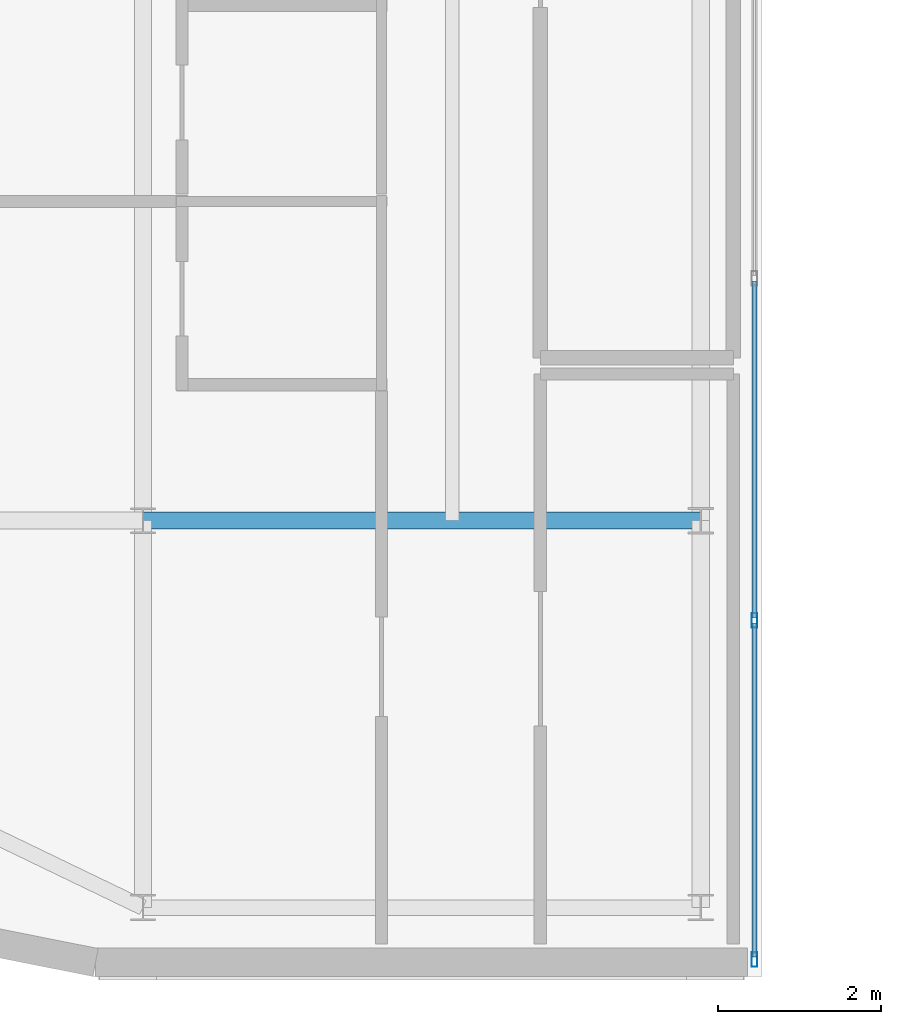
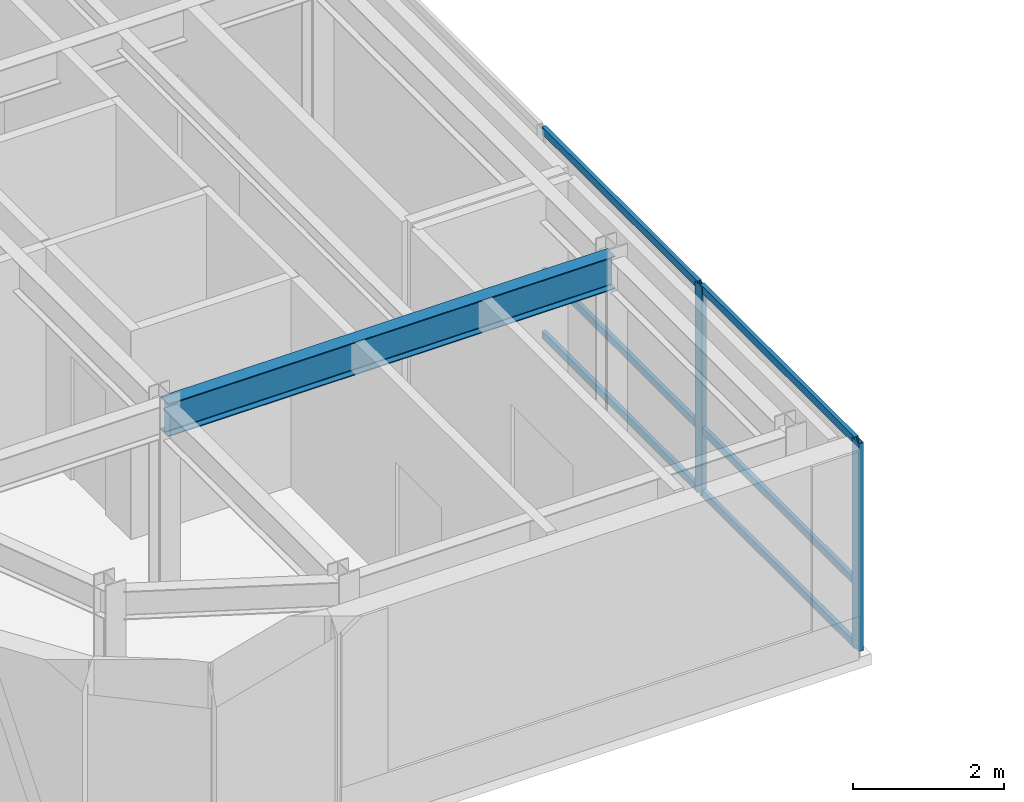
# One storey, part 4 of 21: 8 members, 1 beam, 1 element without a shape of its own.
"""IFC4 building model written with IfcOpenShell, lengths in metres."""

from ifc_helpers import new_model, si_unit, direction, frame, origin, origin_2d, place, context, subcontext, project, spatial, hollow_rectangle, i_section, extrude, source, transform, mapped, material, layer, layer_set, material_profile, profile_set, type_object, type_shapes, element, aggregate, save


model = new_model("IFC4")

# Units and contexts
model_context = context("Model", 3, precision=1e-05, world=origin(), true_north=direction((0.0, 1.0)))
body_context = subcontext(model_context, "Body", "Model", "MODEL_VIEW")
ifc_project = project(units=[si_unit("LENGTHUNIT", "METRE"), si_unit("AREAUNIT", "SQUARE_METRE"), si_unit("VOLUMEUNIT", "CUBIC_METRE"), si_unit("PLANEANGLEUNIT", "RADIAN"), si_unit("MASSUNIT", "GRAM", prefix="KILO")], contexts=[model_context])

# Site, building, storey
site_placement = place(None, origin())
site = spatial("IfcSite", under=ifc_project, at=site_placement, CompositionType="ELEMENT")
building_placement = place(site_placement, origin())
building = spatial("IfcBuilding", under=site, at=building_placement, Name="Tolvann Quenvar Hotel", CompositionType="ELEMENT")
storey_placement = place(building_placement, frame((0.0, 0.0, 255.85009765625)))
storey = spatial("IfcBuildingStorey", under=building, at=storey_placement, Name="L68", CompositionType="ELEMENT", Elevation=255.85009765625)

# Beam
ifc_material_1 = material(Name="Steel Grade 350", Category="steel")
ifc_material_profile_1 = material_profile(ifc_material_1, i_section(OverallWidth=0.208984375, OverallDepth=0.532958984375, WebThickness=0.01025390625, FlangeThickness=0.015625, FilletRadius=0.013916015625, at=origin_2d()), Name="530UB92")
ifc_profile_set_1 = profile_set([ifc_material_profile_1], Name="Steel Grade 350")
beam_type = type_object("IfcBeamType", Name="BM_GIRD_530UB92", PredefinedType="BEAM", material=ifc_profile_set_1)
shared_shape_1 = source(origin(), body_context, "Body", "SweptSolid", [
    extrude(i_section(OverallWidth=0.208984375, OverallDepth=0.532958984375, WebThickness=0.01025390625, FlangeThickness=0.015625, FilletRadius=0.013916015625, at=origin_2d()), origin(), (0.0, 0.0, 1.0), 6.849853515625),
])
type_shapes(beam_type, [shared_shape_1])
beam_placement = place(storey_placement, frame((7.60009765625, 8.199951171875, 3.103515625), z_axis=(1.0, 0.0, 0.0), x_axis=(0.0, 1.0, 0.0)))
element("IfcBeam", 1, at=beam_placement, inside=storey, type_object=beam_type, Name="BM-L68-EW-3-C3-D3", PredefinedType="BEAM", context=body_context, shape_type="MappedRepresentation", body=[
    mapped(shared_shape_1, transform((0.0, 0.0, 0.0), x_axis=(1.0, 0.0, 0.0), y_axis=(0.0, 1.0, 0.0), z_axis=(0.0, 0.0, 1.0), scale=1.0)),
])

# Curtain wall, members
ifc_material_2 = material(Name="Thermally broken anodised architectural aluminium 6063-T6 and laminated low-E glass", Category="aluminium")
ifc_layer = layer(ifc_material_2, 0.179931640625)
ifc_layer_set = layer_set([ifc_layer], Name="Thermally broken anodised architectural aluminium 6063-T6 and laminated low-E glass")
curtain_wall_type = type_object("IfcCurtainWallType", Name="CW_SYS_PORTAL_05", PredefinedType="USERDEFINED", material=ifc_layer_set)
curtain_wall_placement = place(storey_placement, origin())
curtain_wall = element("IfcCurtainWall", 2, at=curtain_wall_placement, inside=storey, type_object=curtain_wall_type, Name="Curtain Wall CW-PORTAL-05 (CWR-L68-E05)", ObjectType="UNITISED CURTAIN WALL", PredefinedType="USERDEFINED")
ifc_material_3 = material(Name="Anodised architectural aluminium 6063-T6 framing", Category="aluminium")
ifc_material_profile_2 = material_profile(ifc_material_3, hollow_rectangle(XDim=0.070068359375, YDim=0.179931640625, WallThickness=0.00390625, at=origin_2d()), Name="180x70x4RHS")
ifc_profile_set_2 = profile_set([ifc_material_profile_2], Name="Anodised architectural aluminium 6063-T6 framing")
member_type_1 = type_object("IfcMemberType", Name="CW_MULL_180x70", PredefinedType="MULLION", material=ifc_profile_set_2)
shared_shape_2 = source(origin(), body_context, "Body", "SweptSolid", [
    extrude(hollow_rectangle(XDim=0.070068359375, YDim=0.179931640625, WallThickness=0.00390625, at=origin_2d()), origin(), (0.0, 0.0, 1.0), 3.369873046875),
])
type_shapes(member_type_1, [shared_shape_2])
member_1_placement = place(storey_placement, frame((15.110107421875, 2.81005859375, 0.0), z_axis=(0.0, 0.0, 1.0), x_axis=(-1.0, 0.0, 0.0)))
member_1 = element("IfcMember", 3, at=member_1_placement, type_object=member_type_1, Name="CW-PORTAL-05 mullion 1", PredefinedType="MULLION", context=body_context, shape_type="MappedRepresentation", body=[
    mapped(shared_shape_2, transform((0.0, 0.0, 0.0), x_axis=(1.0, 0.0, 0.0), y_axis=(0.0, 1.0, 0.0), z_axis=(0.0, 0.0, 1.0), scale=1.0)),
])
member_2_placement = place(storey_placement, frame((15.110107421875, 6.97509765625, 0.0), z_axis=(0.0, 0.0, 1.0), x_axis=(-1.0, 0.0, 0.0)))
member_2 = element("IfcMember", 4, at=member_2_placement, type_object=member_type_1, Name="CW-PORTAL-05 mullion 2", PredefinedType="MULLION", context=body_context, shape_type="MappedRepresentation", body=[
    mapped(shared_shape_2, transform((0.0, 0.0, 0.0), x_axis=(1.0, 0.0, 0.0), y_axis=(0.0, 1.0, 0.0), z_axis=(0.0, 0.0, 1.0), scale=1.0)),
])
ifc_material_profile_3 = material_profile(ifc_material_3, hollow_rectangle(XDim=0.06005859375, YDim=0.1201171875, WallThickness=0.00341796875, at=origin_2d()), Name="120x60x3.5RHS")
ifc_profile_set_3 = profile_set([ifc_material_profile_3], Name="Anodised architectural aluminium 6063-T6 framing")
member_type_2 = type_object("IfcMemberType", Name="CW_TRAN_120x60", PredefinedType="USERDEFINED", material=ifc_profile_set_3)
shared_shape_3 = source(origin(), body_context, "Body", "SweptSolid", [
    extrude(hollow_rectangle(XDim=0.06005859375, YDim=0.1201171875, WallThickness=0.00341796875, at=origin_2d()), origin(), (0.0, 0.0, 1.0), 4.094970703125),
])
member_3_placement = place(storey_placement, frame((15.110107421875, 2.844970703125, 0.02978515625), z_axis=(0.0, 1.0, 0.0), x_axis=(-1.0, 0.0, 0.0)))
member_3 = element("IfcMember", 5, at=member_3_placement, type_object=member_type_2, Name="CW-PORTAL-05 transom 1.1", ObjectType="TRANSOM", PredefinedType="USERDEFINED", context=body_context, shape_type="MappedRepresentation", body=[
    mapped(shared_shape_3, transform((0.0, 0.0, 0.0), x_axis=(1.0, 0.0, 0.0), y_axis=(0.0, 1.0, 0.0), z_axis=(0.0, 0.0, 1.0), scale=1.0)),
])
member_4_placement = place(storey_placement, frame((15.110107421875, 2.844970703125, 1.0498046875), z_axis=(0.0, 1.0, 0.0), x_axis=(-1.0, 0.0, 0.0)))
member_4 = element("IfcMember", 6, at=member_4_placement, type_object=member_type_2, Name="CW-PORTAL-05 transom 1.2", ObjectType="TRANSOM", PredefinedType="USERDEFINED", context=body_context, shape_type="MappedRepresentation", body=[
    mapped(shared_shape_3, transform((0.0, 0.0, 0.0), x_axis=(1.0, 0.0, 0.0), y_axis=(0.0, 1.0, 0.0), z_axis=(0.0, 0.0, 1.0), scale=1.0)),
])
member_5_placement = place(storey_placement, frame((15.110107421875, 2.844970703125, 3.33984375), z_axis=(0.0, 1.0, 0.0), x_axis=(-1.0, 0.0, 0.0)))
member_5 = element("IfcMember", 7, at=member_5_placement, type_object=member_type_2, Name="CW-PORTAL-05 transom 1.3", ObjectType="TRANSOM", PredefinedType="USERDEFINED", context=body_context, shape_type="MappedRepresentation", body=[
    mapped(shared_shape_3, transform((0.0, 0.0, 0.0), x_axis=(1.0, 0.0, 0.0), y_axis=(0.0, 1.0, 0.0), z_axis=(0.0, 0.0, 1.0), scale=1.0)),
])
shared_shape_4 = source(origin(), body_context, "Body", "SweptSolid", [
    extrude(hollow_rectangle(XDim=0.06005859375, YDim=0.1201171875, WallThickness=0.00341796875, at=origin_2d()), origin(), (0.0, 0.0, 1.0), 4.1298828125),
])
type_shapes(member_type_2, [shared_shape_3, shared_shape_4])
member_6_placement = place(storey_placement, frame((15.110107421875, 7.010009765625, 0.02978515625), z_axis=(0.0, 1.0, 0.0), x_axis=(-1.0, 0.0, 0.0)))
member_6 = element("IfcMember", 8, at=member_6_placement, type_object=member_type_2, Name="CW-PORTAL-05 transom 2.1", ObjectType="TRANSOM", PredefinedType="USERDEFINED", context=body_context, shape_type="MappedRepresentation", body=[
    mapped(shared_shape_4, transform((0.0, 0.0, 0.0), x_axis=(1.0, 0.0, 0.0), y_axis=(0.0, 1.0, 0.0), z_axis=(0.0, 0.0, 1.0), scale=1.0)),
])
member_7_placement = place(storey_placement, frame((15.110107421875, 7.010009765625, 1.0498046875), z_axis=(0.0, 1.0, 0.0), x_axis=(-1.0, 0.0, 0.0)))
member_7 = element("IfcMember", 9, at=member_7_placement, type_object=member_type_2, Name="CW-PORTAL-05 transom 2.2", ObjectType="TRANSOM", PredefinedType="USERDEFINED", context=body_context, shape_type="MappedRepresentation", body=[
    mapped(shared_shape_4, transform((0.0, 0.0, 0.0), x_axis=(1.0, 0.0, 0.0), y_axis=(0.0, 1.0, 0.0), z_axis=(0.0, 0.0, 1.0), scale=1.0)),
])
member_8_placement = place(storey_placement, frame((15.110107421875, 7.010009765625, 3.33984375), z_axis=(0.0, 1.0, 0.0), x_axis=(-1.0, 0.0, 0.0)))
member_8 = element("IfcMember", 10, at=member_8_placement, type_object=member_type_2, Name="CW-PORTAL-05 transom 2.3", ObjectType="TRANSOM", PredefinedType="USERDEFINED", context=body_context, shape_type="MappedRepresentation", body=[
    mapped(shared_shape_4, transform((0.0, 0.0, 0.0), x_axis=(1.0, 0.0, 0.0), y_axis=(0.0, 1.0, 0.0), z_axis=(0.0, 0.0, 1.0), scale=1.0)),
])
aggregate(curtain_wall, [member_1, member_2, member_3, member_4, member_5, member_6, member_7, member_8])

save(model, "model.ifc")
